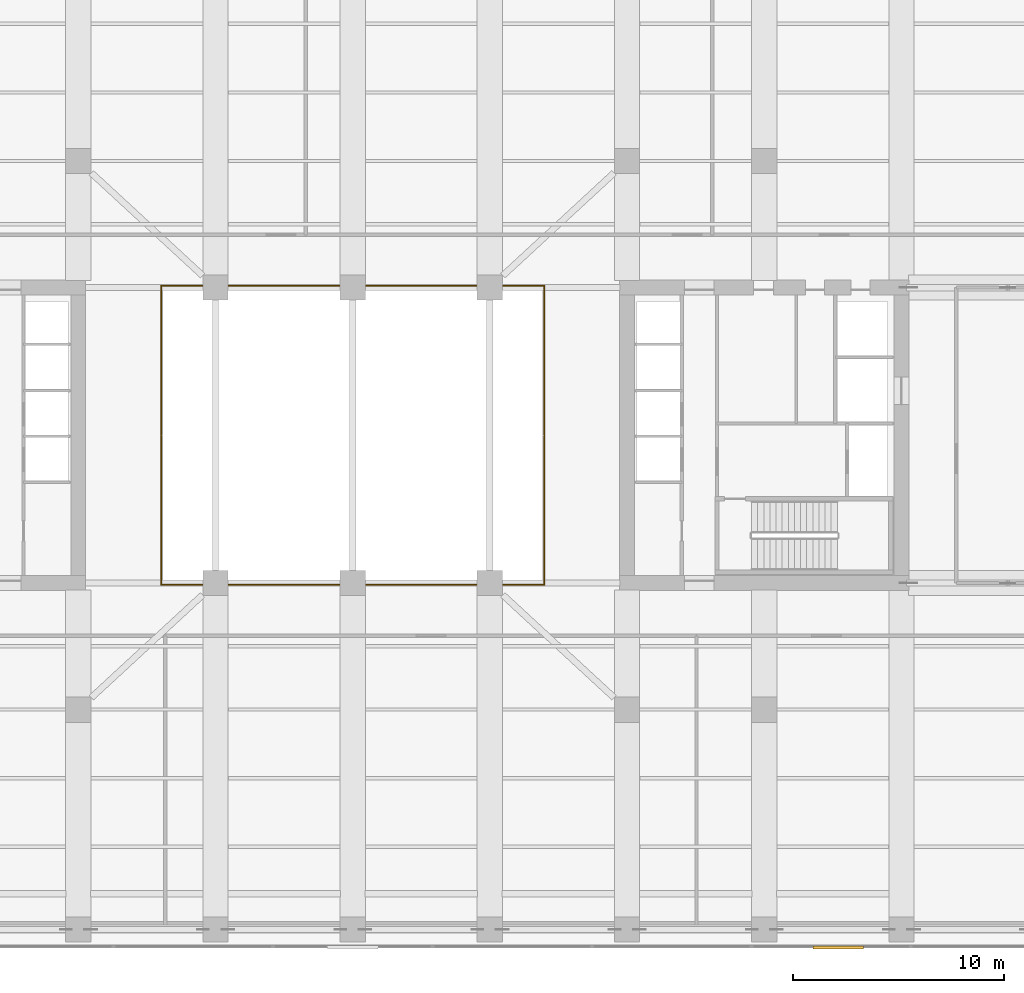
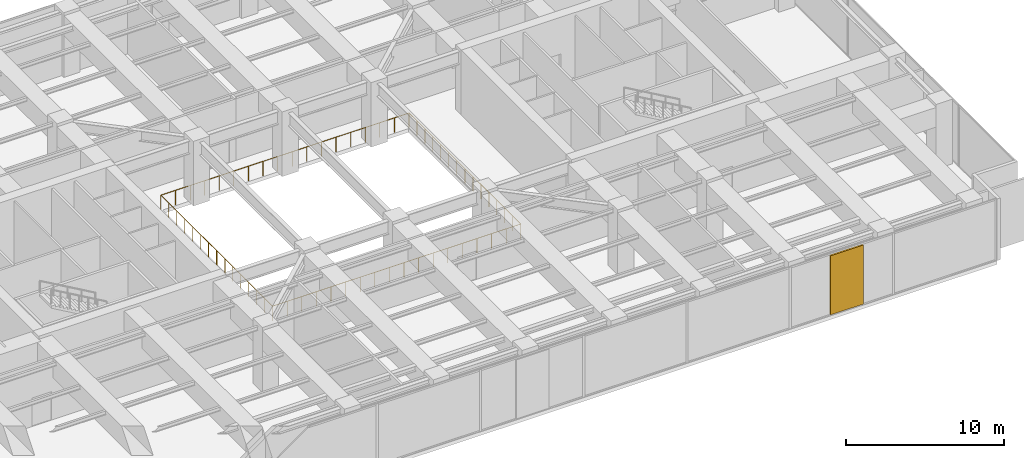
# One storey, part 26 of 28: 2 railings, 1 shading device.
"""IFC4 building model written with IfcOpenShell, lengths in metres."""

from ifc_helpers import new_model, si_unit, direction, frame, origin, origin_2d, place, context, subcontext, project, spatial, rectangle, circle, extrude, material, layer, layer_set, type_object, element, save


model = new_model("IFC4")

# Units and contexts
model_context = context("Model", 3, precision=1e-05, world=origin(), true_north=direction((0.0, 1.0)))
body_context = subcontext(model_context, "Body", "Model", "MODEL_VIEW")
ifc_project = project(units=[si_unit("LENGTHUNIT", "METRE"), si_unit("AREAUNIT", "SQUARE_METRE"), si_unit("VOLUMEUNIT", "CUBIC_METRE"), si_unit("PLANEANGLEUNIT", "RADIAN"), si_unit("MASSUNIT", "GRAM", prefix="KILO")], contexts=[model_context])

# Site, building, storey
site_placement = place(None, origin())
site = spatial("IfcSite", under=ifc_project, at=site_placement, CompositionType="ELEMENT")
building_placement = place(site_placement, origin())
building = spatial("IfcBuilding", under=site, at=building_placement, Name="Putna Gate Headquarters", CompositionType="ELEMENT")
storey_placement = place(building_placement, frame((0.0, 0.0, 139.199951171875)))
storey = spatial("IfcBuildingStorey", under=building, at=storey_placement, Name="L34", CompositionType="ELEMENT", Elevation=139.199951171875)

# Railings
ifc_material_1 = material(Name="Anodised bronze and laminated glass atrium balustrade", Category="glass")
railing_type = type_object("IfcRailingType", Name="RAIL-ATRIUM-GUARD-1150", PredefinedType="GUARDRAIL", material=ifc_material_1)
railing_1_placement = place(storey_placement, frame((29.919921875, 25.969970703125, 0.0)))
element("IfcRailing", 1, at=railing_1_placement, inside=storey, type_object=railing_type, Name="L34 Central Atrium Glazed Balustrade South", PredefinedType="GUARDRAIL", context=body_context, shape_type="SweptSolid", body=[
    extrude(circle(Radius=0.02392578125, at=origin_2d()), frame((0.0, 0.0, 1.1259765625), z_axis=(0.0, -1.0, 0.0), x_axis=(1.0, 0.0, 0.0)), (0.0, 0.0, 1.0), 7.050048828125),
    extrude(circle(Radius=0.02392578125, at=origin_2d()), frame((0.0, -7.050048828125, 1.1259765625), z_axis=(1.0, 0.0, 0.0), x_axis=(0.0, 1.0, 0.0)), (0.0, 0.0, 1.0), 18.16015625),
    extrude(circle(Radius=0.02392578125, at=origin_2d()), frame((18.16015625, -7.050048828125, 1.1259765625), z_axis=(0.0, 1.0, 0.0), x_axis=(-1.0, 0.0, 0.0)), (0.0, 0.0, 1.0), 7.050048828125),
    extrude(circle(Radius=0.02099609375, at=origin_2d()), origin(), (0.0, 0.0, 1.0), 1.101806640625),
    extrude(circle(Radius=0.02099609375, at=origin_2d()), frame((0.0, -1.007080078125, 0.0)), (0.0, 0.0, 1.0), 1.101806640625),
    extrude(circle(Radius=0.02099609375, at=origin_2d()), frame((0.0, -2.014404296875, 0.0)), (0.0, 0.0, 1.0), 1.101806640625),
    extrude(circle(Radius=0.02099609375, at=origin_2d()), frame((0.0, -3.021484375, 0.0)), (0.0, 0.0, 1.0), 1.101806640625),
    extrude(circle(Radius=0.02099609375, at=origin_2d()), frame((0.0, -4.028564453125, 0.0)), (0.0, 0.0, 1.0), 1.101806640625),
    extrude(circle(Radius=0.02099609375, at=origin_2d()), frame((0.0, -5.03564453125, 0.0)), (0.0, 0.0, 1.0), 1.101806640625),
    extrude(circle(Radius=0.02099609375, at=origin_2d()), frame((0.0, -6.04296875, 0.0)), (0.0, 0.0, 1.0), 1.101806640625),
    extrude(circle(Radius=0.02099609375, at=origin_2d()), frame((0.0, -7.050048828125, 0.0)), (0.0, 0.0, 1.0), 1.101806640625),
    extrude(circle(Radius=0.02099609375, at=origin_2d()), frame((1.068359375, -7.050048828125, 0.0)), (0.0, 0.0, 1.0), 1.101806640625),
    extrude(circle(Radius=0.02099609375, at=origin_2d()), frame((2.136474609375, -7.050048828125, 0.0)), (0.0, 0.0, 1.0), 1.101806640625),
    extrude(circle(Radius=0.02099609375, at=origin_2d()), frame((3.204833984375, -7.050048828125, 0.0)), (0.0, 0.0, 1.0), 1.101806640625),
    extrude(circle(Radius=0.02099609375, at=origin_2d()), frame((4.27294921875, -7.050048828125, 0.0)), (0.0, 0.0, 1.0), 1.101806640625),
    extrude(circle(Radius=0.02099609375, at=origin_2d()), frame((5.34130859375, -7.050048828125, 0.0)), (0.0, 0.0, 1.0), 1.101806640625),
    extrude(circle(Radius=0.02099609375, at=origin_2d()), frame((6.409423828125, -7.050048828125, 0.0)), (0.0, 0.0, 1.0), 1.101806640625),
    extrude(circle(Radius=0.02099609375, at=origin_2d()), frame((7.477783203125, -7.050048828125, 0.0)), (0.0, 0.0, 1.0), 1.101806640625),
    extrude(circle(Radius=0.02099609375, at=origin_2d()), frame((8.5458984375, -7.050048828125, 0.0)), (0.0, 0.0, 1.0), 1.101806640625),
    extrude(circle(Radius=0.02099609375, at=origin_2d()), frame((9.6142578125, -7.050048828125, 0.0)), (0.0, 0.0, 1.0), 1.101806640625),
    extrude(circle(Radius=0.02099609375, at=origin_2d()), frame((10.682373046875, -7.050048828125, 0.0)), (0.0, 0.0, 1.0), 1.101806640625),
    extrude(circle(Radius=0.02099609375, at=origin_2d()), frame((11.750732421875, -7.050048828125, 0.0)), (0.0, 0.0, 1.0), 1.101806640625),
    extrude(circle(Radius=0.02099609375, at=origin_2d()), frame((12.81884765625, -7.050048828125, 0.0)), (0.0, 0.0, 1.0), 1.101806640625),
    extrude(circle(Radius=0.02099609375, at=origin_2d()), frame((13.88720703125, -7.050048828125, 0.0)), (0.0, 0.0, 1.0), 1.101806640625),
    extrude(circle(Radius=0.02099609375, at=origin_2d()), frame((14.955322265625, -7.050048828125, 0.0)), (0.0, 0.0, 1.0), 1.101806640625),
    extrude(circle(Radius=0.02099609375, at=origin_2d()), frame((16.023681640625, -7.050048828125, 0.0)), (0.0, 0.0, 1.0), 1.101806640625),
    extrude(circle(Radius=0.02099609375, at=origin_2d()), frame((17.091796875, -7.050048828125, 0.0)), (0.0, 0.0, 1.0), 1.101806640625),
    extrude(circle(Radius=0.02099609375, at=origin_2d()), frame((18.16015625, -7.050048828125, 0.0)), (0.0, 0.0, 1.0), 1.101806640625),
    extrude(circle(Radius=0.02099609375, at=origin_2d()), frame((18.16015625, -6.04296875, 0.0)), (0.0, 0.0, 1.0), 1.101806640625),
    extrude(circle(Radius=0.02099609375, at=origin_2d()), frame((18.16015625, -5.03564453125, 0.0)), (0.0, 0.0, 1.0), 1.101806640625),
    extrude(circle(Radius=0.02099609375, at=origin_2d()), frame((18.16015625, -4.028564453125, 0.0)), (0.0, 0.0, 1.0), 1.101806640625),
    extrude(circle(Radius=0.02099609375, at=origin_2d()), frame((18.16015625, -3.021484375, 0.0)), (0.0, 0.0, 1.0), 1.101806640625),
    extrude(circle(Radius=0.02099609375, at=origin_2d()), frame((18.16015625, -2.014404296875, 0.0)), (0.0, 0.0, 1.0), 1.101806640625),
    extrude(circle(Radius=0.02099609375, at=origin_2d()), frame((18.16015625, -1.007080078125, 0.0)), (0.0, 0.0, 1.0), 1.101806640625),
    extrude(circle(Radius=0.02099609375, at=origin_2d()), frame((18.16015625, 0.0, 0.0)), (0.0, 0.0, 1.0), 1.101806640625),
])
railing_2_placement = place(storey_placement, frame((48.080078125, 26.030029296875, 0.0)))
element("IfcRailing", 2, at=railing_2_placement, inside=storey, type_object=railing_type, Name="L34 Central Atrium Glazed Balustrade North", PredefinedType="GUARDRAIL", context=body_context, shape_type="SweptSolid", body=[
    extrude(circle(Radius=0.02392578125, at=origin_2d()), frame((0.0, 0.0, 1.1259765625), z_axis=(0.0, 1.0, 0.0), x_axis=(-1.0, 0.0, 0.0)), (0.0, 0.0, 1.0), 7.050048828125),
    extrude(circle(Radius=0.02392578125, at=origin_2d()), frame((0.0, 7.050048828125, 1.1259765625), z_axis=(-1.0, 0.0, 0.0), x_axis=(0.0, -1.0, 0.0)), (0.0, 0.0, 1.0), 18.16015625),
    extrude(circle(Radius=0.02392578125, at=origin_2d()), frame((-18.16015625, 7.050048828125, 1.1259765625), z_axis=(0.0, -1.0, 0.0), x_axis=(1.0, 0.0, 0.0)), (0.0, 0.0, 1.0), 7.050048828125),
    extrude(circle(Radius=0.02099609375, at=origin_2d()), origin(), (0.0, 0.0, 1.0), 1.101806640625),
    extrude(circle(Radius=0.02099609375, at=origin_2d()), frame((0.0, 1.007080078125, 0.0)), (0.0, 0.0, 1.0), 1.101806640625),
    extrude(circle(Radius=0.02099609375, at=origin_2d()), frame((0.0, 2.014404296875, 0.0)), (0.0, 0.0, 1.0), 1.101806640625),
    extrude(circle(Radius=0.02099609375, at=origin_2d()), frame((0.0, 3.021484375, 0.0)), (0.0, 0.0, 1.0), 1.101806640625),
    extrude(circle(Radius=0.02099609375, at=origin_2d()), frame((0.0, 4.028564453125, 0.0)), (0.0, 0.0, 1.0), 1.101806640625),
    extrude(circle(Radius=0.02099609375, at=origin_2d()), frame((0.0, 5.03564453125, 0.0)), (0.0, 0.0, 1.0), 1.101806640625),
    extrude(circle(Radius=0.02099609375, at=origin_2d()), frame((0.0, 6.04296875, 0.0)), (0.0, 0.0, 1.0), 1.101806640625),
    extrude(circle(Radius=0.02099609375, at=origin_2d()), frame((0.0, 7.050048828125, 0.0)), (0.0, 0.0, 1.0), 1.101806640625),
    extrude(circle(Radius=0.02099609375, at=origin_2d()), frame((-1.068359375, 7.050048828125, 0.0)), (0.0, 0.0, 1.0), 1.101806640625),
    extrude(circle(Radius=0.02099609375, at=origin_2d()), frame((-2.136474609375, 7.050048828125, 0.0)), (0.0, 0.0, 1.0), 1.101806640625),
    extrude(circle(Radius=0.02099609375, at=origin_2d()), frame((-3.204833984375, 7.050048828125, 0.0)), (0.0, 0.0, 1.0), 1.101806640625),
    extrude(circle(Radius=0.02099609375, at=origin_2d()), frame((-4.27294921875, 7.050048828125, 0.0)), (0.0, 0.0, 1.0), 1.101806640625),
    extrude(circle(Radius=0.02099609375, at=origin_2d()), frame((-5.34130859375, 7.050048828125, 0.0)), (0.0, 0.0, 1.0), 1.101806640625),
    extrude(circle(Radius=0.02099609375, at=origin_2d()), frame((-6.409423828125, 7.050048828125, 0.0)), (0.0, 0.0, 1.0), 1.101806640625),
    extrude(circle(Radius=0.02099609375, at=origin_2d()), frame((-7.477783203125, 7.050048828125, 0.0)), (0.0, 0.0, 1.0), 1.101806640625),
    extrude(circle(Radius=0.02099609375, at=origin_2d()), frame((-8.5458984375, 7.050048828125, 0.0)), (0.0, 0.0, 1.0), 1.101806640625),
    extrude(circle(Radius=0.02099609375, at=origin_2d()), frame((-9.6142578125, 7.050048828125, 0.0)), (0.0, 0.0, 1.0), 1.101806640625),
    extrude(circle(Radius=0.02099609375, at=origin_2d()), frame((-10.682373046875, 7.050048828125, 0.0)), (0.0, 0.0, 1.0), 1.101806640625),
    extrude(circle(Radius=0.02099609375, at=origin_2d()), frame((-11.750732421875, 7.050048828125, 0.0)), (0.0, 0.0, 1.0), 1.101806640625),
    extrude(circle(Radius=0.02099609375, at=origin_2d()), frame((-12.81884765625, 7.050048828125, 0.0)), (0.0, 0.0, 1.0), 1.101806640625),
    extrude(circle(Radius=0.02099609375, at=origin_2d()), frame((-13.88720703125, 7.050048828125, 0.0)), (0.0, 0.0, 1.0), 1.101806640625),
    extrude(circle(Radius=0.02099609375, at=origin_2d()), frame((-14.955322265625, 7.050048828125, 0.0)), (0.0, 0.0, 1.0), 1.101806640625),
    extrude(circle(Radius=0.02099609375, at=origin_2d()), frame((-16.023681640625, 7.050048828125, 0.0)), (0.0, 0.0, 1.0), 1.101806640625),
    extrude(circle(Radius=0.02099609375, at=origin_2d()), frame((-17.091796875, 7.050048828125, 0.0)), (0.0, 0.0, 1.0), 1.101806640625),
    extrude(circle(Radius=0.02099609375, at=origin_2d()), frame((-18.16015625, 7.050048828125, 0.0)), (0.0, 0.0, 1.0), 1.101806640625),
    extrude(circle(Radius=0.02099609375, at=origin_2d()), frame((-18.16015625, 6.04296875, 0.0)), (0.0, 0.0, 1.0), 1.101806640625),
    extrude(circle(Radius=0.02099609375, at=origin_2d()), frame((-18.16015625, 5.03564453125, 0.0)), (0.0, 0.0, 1.0), 1.101806640625),
    extrude(circle(Radius=0.02099609375, at=origin_2d()), frame((-18.16015625, 4.028564453125, 0.0)), (0.0, 0.0, 1.0), 1.101806640625),
    extrude(circle(Radius=0.02099609375, at=origin_2d()), frame((-18.16015625, 3.021484375, 0.0)), (0.0, 0.0, 1.0), 1.101806640625),
    extrude(circle(Radius=0.02099609375, at=origin_2d()), frame((-18.16015625, 2.014404296875, 0.0)), (0.0, 0.0, 1.0), 1.101806640625),
    extrude(circle(Radius=0.02099609375, at=origin_2d()), frame((-18.16015625, 1.007080078125, 0.0)), (0.0, 0.0, 1.0), 1.101806640625),
    extrude(circle(Radius=0.02099609375, at=origin_2d()), frame((-18.16015625, 0.0, 0.0)), (0.0, 0.0, 1.0), 1.101806640625),
])

# Shading device
ifc_material_2 = material(Name="Anodised bronze acoustic weather louvre", Category="aluminium")
ifc_layer = layer(ifc_material_2, 0.1201171875)
ifc_layer_set = layer_set([ifc_layer], Name="Anodised bronze acoustic weather louvre")
shading_device_type = type_object("IfcShadingDeviceType", Name="SHADE-PLANT-LOUVRE", PredefinedType="JALOUSIE", material=ifc_layer_set)
shading_device_placement = place(storey_placement, frame((62.0, 1.72998046875, 0.10009765625), z_axis=(0.0, 0.0, 1.0), x_axis=(1.0, 0.0, 0.0)))
element("IfcShadingDevice", 3, at=shading_device_placement, inside=storey, type_object=shading_device_type, Name="L34 Bronze Acoustic Louvre S3", PredefinedType="JALOUSIE", context=body_context, shape_type="SweptSolid", body=[
    extrude(rectangle(XDim=2.39990234375, YDim=0.1201171875, at=origin_2d()), origin(), (0.0, 0.0, 1.0), 4.572021484375),
])

save(model, "model.ifc")
